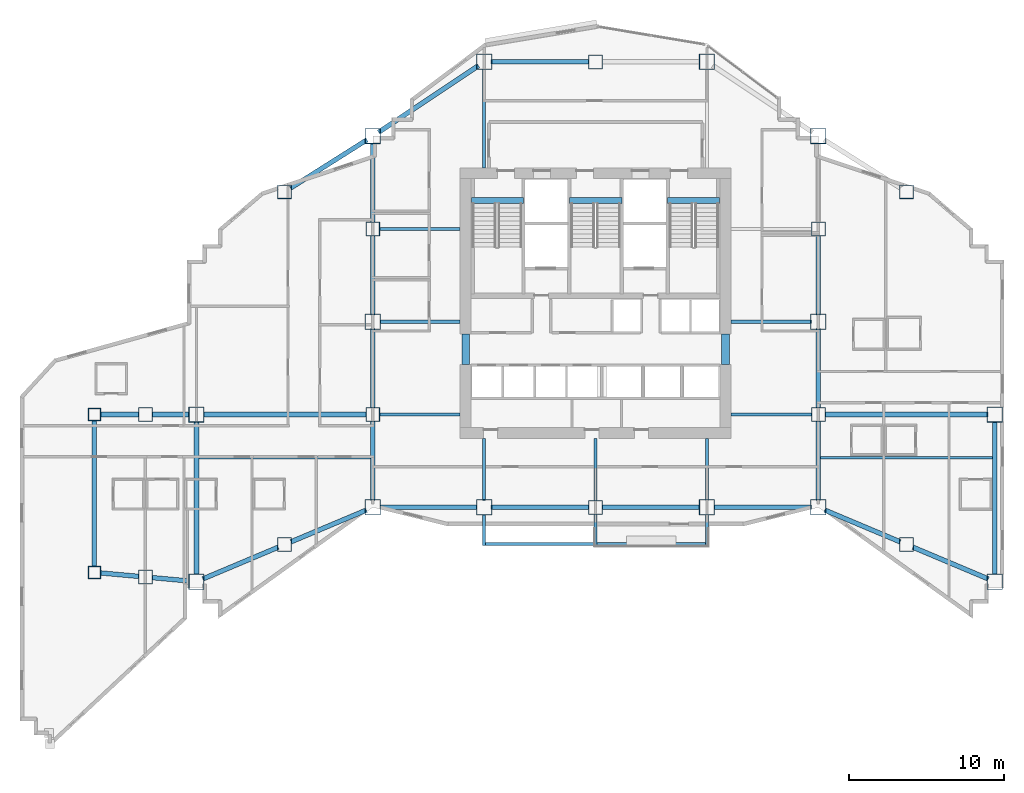
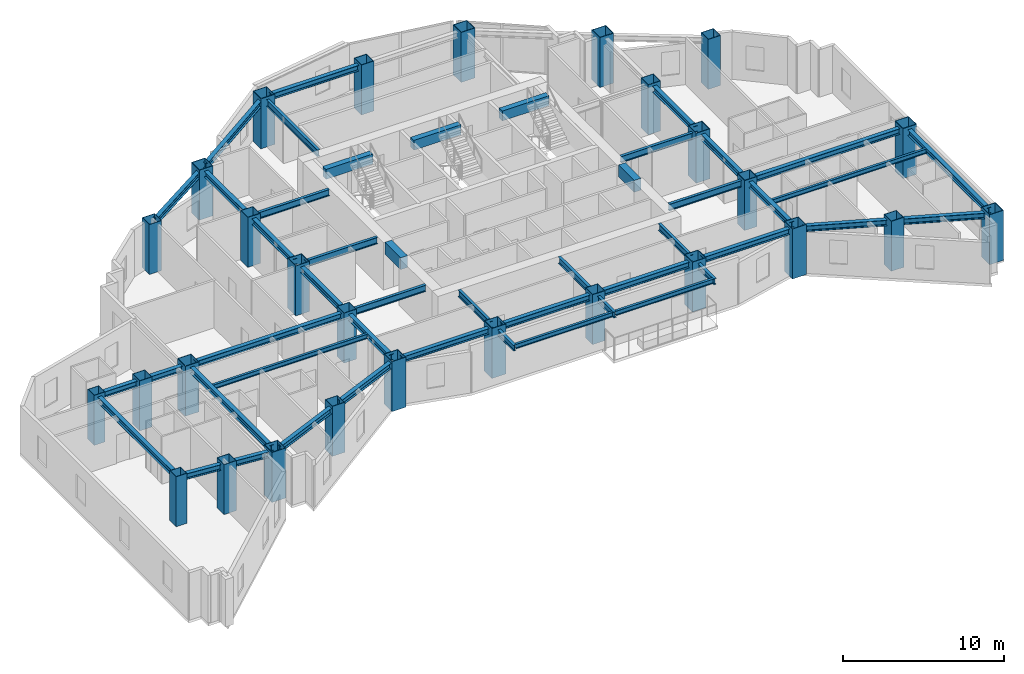
# One storey, part 1 of 14: 48 beams, 28 columns.
"""IFC4 building model written with IfcOpenShell, lengths in metres."""

from ifc_helpers import new_model, si_unit, direction, frame, origin, origin_2d, place, context, subcontext, project, spatial, rectangle, hollow_rectangle, i_section, extrude, material, material_profile, profile_set, type_object, element, save


model = new_model("IFC4")

# Units and contexts
model_context = context("Model", 3, precision=1e-05, world=origin(), true_north=direction((0.0, 1.0)))
body_context = subcontext(model_context, "Body", "Model", "MODEL_VIEW")
ifc_project = project(units=[si_unit("LENGTHUNIT", "METRE"), si_unit("AREAUNIT", "SQUARE_METRE"), si_unit("VOLUMEUNIT", "CUBIC_METRE"), si_unit("PLANEANGLEUNIT", "RADIAN"), si_unit("MASSUNIT", "GRAM", prefix="KILO")], contexts=[model_context])

# Site, building, storey
site_placement = place(None, origin())
site = spatial("IfcSite", under=ifc_project, at=site_placement, CompositionType="ELEMENT")
building_placement = place(site_placement, origin())
building = spatial("IfcBuilding", under=site, at=building_placement, Name="Haolan Belvedere Tower", CompositionType="ELEMENT")
storey_placement = place(building_placement, frame((0.0, 0.0, 141.0)))
storey = spatial("IfcBuildingStorey", under=building, at=storey_placement, Name="L35", CompositionType="ELEMENT", Elevation=141.0)

# Columns
ifc_material_1 = material(Name="Steel Q420GJC", Category="steel")
ifc_material_profile_1 = material_profile(ifc_material_1, hollow_rectangle(XDim=1.0, YDim=1.0, WallThickness=0.0380859375, at=origin_2d()), Name="Steel Q420GJC")
ifc_profile_set_1 = profile_set([ifc_material_profile_1], Name="Steel Q420GJC")
column_type_1 = type_object("IfcColumnType", Name="COL-BOX1000x1000x38", PredefinedType="COLUMN", material=ifc_profile_set_1)
for number, where, z_axis, x_axis, name in (
    (1, (24.0, 21.60009765625, 0.0), (0.0, 0.0, 1.0), (1.0, 0.0, 0.0), "L35 column MC-T3-SW (BOX1000x1000x38)"),
    (2, (24.0, 33.60009765625, 0.0), (0.0, 0.0, 1.0), (1.0, 0.0, 0.0), "L35 column MC-T3-MW (BOX1000x1000x38)"),
    (3, (24.0, 45.60009765625, 0.0), (0.0, 0.0, 1.0), (1.0, 0.0, 0.0), "L35 column MC-T3-NW (BOX1000x1000x38)"),
    (4, (52.800048828125, 21.60009765625, 0.0), (0.0, 0.0, 1.0), (1.0, 0.0, 0.0), "L35 column MC-T3-SE (BOX1000x1000x38)"),
    (5, (52.800048828125, 33.60009765625, 0.0), (0.0, 0.0, 1.0), (1.0, 0.0, 0.0), "L35 column MC-T3-ME (BOX1000x1000x38)"),
    (6, (52.800048828125, 45.60009765625, 0.0), (0.0, 0.0, 1.0), (1.0, 0.0, 0.0), "L35 column MC-T3-NE (BOX1000x1000x38)"),
    (7, (31.199951171875, 21.60009765625, 0.0), (0.0, 0.0, 1.0), (1.0, 0.0, 0.0), "L35 column MC-T3-S1 (BOX1000x1000x38)"),
    (8, (45.60009765625, 21.60009765625, 0.0), (0.0, 0.0, 1.0), (1.0, 0.0, 0.0), "L35 column MC-T3-S2 (BOX1000x1000x38)"),
    (9, (31.199951171875, 50.39990234375, 0.0), (0.0, 0.0, 1.0), (1.0, 0.0, 0.0), "L35 column MC-T3-N1 (BOX1000x1000x38)"),
    (10, (45.60009765625, 50.39990234375, 0.0), (0.0, 0.0, 1.0), (1.0, 0.0, 0.0), "L35 column MC-T3-N2 (BOX1000x1000x38)"),
    (11, (12.60009765625, 16.800048828125, 0.0), (0.0, 0.0, 1.0), (1.0, 0.0, 0.0), "L35 column MC-T2-SW (BOX1000x1000x38)"),
    (12, (12.60009765625, 27.60009765625, 0.0), (0.0, 0.0, 1.0), (1.0, 0.0, 0.0), "L35 column MC-T2-MW (BOX1000x1000x38)"),
    (13, (64.199951171875, 16.800048828125, 0.0), (0.0, 0.0, 1.0), (1.0, 0.0, 0.0), "L35 column MC-T4-SE (BOX1000x1000x38)"),
    (14, (64.199951171875, 27.60009765625, 0.0), (0.0, 0.0, 1.0), (1.0, 0.0, 0.0), "L35 column MC-T4-ME (BOX1000x1000x38)"),
):
    element("IfcColumn", number, at=place(storey_placement, frame(where, z_axis=z_axis, x_axis=x_axis)), inside=storey, type_object=column_type_1, Name=name, PredefinedType="COLUMN", context=body_context, shape_type="SweptSolid", body=[
        extrude(hollow_rectangle(XDim=1.0, YDim=1.0, WallThickness=0.0380859375, at=origin_2d()), origin(), (0.0, 0.0, 1.0), 3.800048828125),
    ])
ifc_material_2 = material(Name="Steel Q390GJC", Category="steel")
ifc_material_profile_2 = material_profile(ifc_material_2, hollow_rectangle(XDim=0.800048828125, YDim=0.800048828125, WallThickness=0.030029296875, at=origin_2d()), Name="Steel Q390GJC")
ifc_profile_set_2 = profile_set([ifc_material_profile_2], Name="Steel Q390GJC")
column_type_2 = type_object("IfcColumnType", Name="COL-BOX800x800x30", PredefinedType="COLUMN", material=ifc_profile_set_2)
for number, where, z_axis, x_axis, name in (
    (15, (6.0, 17.39990234375, 0.0), (0.0, 0.0, 1.0), (1.0, 0.0, 0.0), "L35 column MC-T1-SW (BOX800x800x30)"),
    (16, (6.0, 27.60009765625, 0.0), (0.0, 0.0, 1.0), (1.0, 0.0, 0.0), "L35 column MC-T1-NW (BOX800x800x30)"),
):
    element("IfcColumn", number, at=place(storey_placement, frame(where, z_axis=z_axis, x_axis=x_axis)), inside=storey, type_object=column_type_2, Name=name, PredefinedType="COLUMN", context=body_context, shape_type="SweptSolid", body=[
        extrude(hollow_rectangle(XDim=0.800048828125, YDim=0.800048828125, WallThickness=0.030029296875, at=origin_2d()), origin(), (0.0, 0.0, 1.0), 3.800048828125),
    ])
ifc_material_profile_3 = material_profile(ifc_material_2, hollow_rectangle(XDim=0.89990234375, YDim=0.89990234375, WallThickness=0.033935546875, at=origin_2d()), Name="Steel Q390GJC")
ifc_profile_set_3 = profile_set([ifc_material_profile_3], Name="Steel Q390GJC")
column_type_3 = type_object("IfcColumnType", Name="COL-BOX900x900x34", PredefinedType="COLUMN", material=ifc_profile_set_3)
for number, where, z_axis, x_axis, name in (
    (17, (24.0, 27.60009765625, 0.0), (0.0, 0.0, 1.0), (1.0, 0.0, 0.0), "L35 column TC-T3-W1 (BOX900x900x34)"),
    (18, (24.0, 39.60009765625, 0.0), (0.0, 0.0, 1.0), (1.0, 0.0, 0.0), "L35 column TC-T3-W2 (BOX900x900x34)"),
    (19, (52.800048828125, 27.60009765625, 0.0), (0.0, 0.0, 1.0), (1.0, 0.0, 0.0), "L35 column TC-T3-E1 (BOX900x900x34)"),
    (20, (52.800048828125, 39.60009765625, 0.0), (0.0, 0.0, 1.0), (1.0, 0.0, 0.0), "L35 column TC-T3-E2 (BOX900x900x34)"),
    (21, (38.39990234375, 21.60009765625, 0.0), (0.0, 0.0, 1.0), (1.0, 0.0, 0.0), "L35 column TC-T3-SM (BOX900x900x34)"),
    (22, (38.39990234375, 50.39990234375, 0.0), (0.0, 0.0, 1.0), (1.0, 0.0, 0.0), "L35 column TC-T3-NM (BOX900x900x34)"),
    (23, (18.300048828125, 19.199951171875, 0.0), (0.0, 0.0, 1.0), (1.0, 0.0, 0.0), "L35 column TC-T2-S1 (BOX900x900x34)"),
    (24, (18.300048828125, 42.0, 0.0), (0.0, 0.0, 1.0), (1.0, 0.0, 0.0), "L35 column TC-T2-N1 (BOX900x900x34)"),
    (25, (58.5, 19.199951171875, 0.0), (0.0, 0.0, 1.0), (1.0, 0.0, 0.0), "L35 column TC-T4-S1 (BOX900x900x34)"),
    (26, (58.5, 42.0, 0.0), (0.0, 0.0, 1.0), (1.0, 0.0, 0.0), "L35 column TC-T4-N1 (BOX900x900x34)"),
    (27, (9.300048828125, 17.10009765625, 0.0), (0.0, 0.0, 1.0), (1.0, 0.0, 0.0), "L35 column TC-T1-M1 (BOX900x900x34)"),
    (28, (9.300048828125, 27.60009765625, 0.0), (0.0, 0.0, 1.0), (1.0, 0.0, 0.0), "L35 column TC-T1-M2 (BOX900x900x34)"),
):
    element("IfcColumn", number, at=place(storey_placement, frame(where, z_axis=z_axis, x_axis=x_axis)), inside=storey, type_object=column_type_3, Name=name, PredefinedType="COLUMN", context=body_context, shape_type="SweptSolid", body=[
        extrude(hollow_rectangle(XDim=0.89990234375, YDim=0.89990234375, WallThickness=0.033935546875, at=origin_2d()), origin(), (0.0, 0.0, 1.0), 3.800048828125),
    ])

# Beams
ifc_material_3 = material(Name="Steel Q355B", Category="steel")
ifc_material_profile_4 = material_profile(ifc_material_3, i_section(OverallWidth=0.300048828125, OverallDepth=0.43994140625, WebThickness=0.010986328125, FlangeThickness=0.01806640625, FilletRadius=0.02392578125, at=origin_2d()), Name="Steel Q355B")
ifc_profile_set_4 = profile_set([ifc_material_profile_4], Name="Steel Q355B")
beam_type_1 = type_object("IfcBeamType", Name="BM-HM440x300x11x18", PredefinedType="SPANDREL", material=ifc_profile_set_4)
for number, where, z_axis, x_axis, name in (
    (29, (24.0, 22.050048828125, 3.3798828125), (0.0, 1.0, 0.0), (-1.0, 0.0, 0.0), "L35 spandrel girder MC-T3-SW-TC-T3-W1"),
    (30, (24.0, 28.050048828125, 3.3798828125), (0.0, 1.0, 0.0), (-1.0, 0.0, 0.0), "L35 spandrel girder TC-T3-W1-MC-T3-MW"),
    (31, (24.0, 34.050048828125, 3.3798828125), (0.0, 1.0, 0.0), (-1.0, 0.0, 0.0), "L35 spandrel girder MC-T3-MW-TC-T3-W2"),
    (32, (24.0, 40.050048828125, 3.3798828125), (0.0, 1.0, 0.0), (-1.0, 0.0, 0.0), "L35 spandrel girder TC-T3-W2-MC-T3-NW"),
    (33, (52.800048828125, 22.050048828125, 3.3798828125), (0.0, 1.0, 0.0), (-1.0, 0.0, 0.0), "L35 spandrel girder MC-T3-SE-TC-T3-E1"),
    (34, (52.800048828125, 28.050048828125, 3.3798828125), (0.0, 1.0, 0.0), (-1.0, 0.0, 0.0), "L35 spandrel girder TC-T3-E1-MC-T3-ME"),
    (35, (52.800048828125, 34.050048828125, 3.3798828125), (0.0, 1.0, 0.0), (-1.0, 0.0, 0.0), "L35 spandrel girder MC-T3-ME-TC-T3-E2"),
):
    element("IfcBeam", number, at=place(storey_placement, frame(where, z_axis=z_axis, x_axis=x_axis)), inside=storey, type_object=beam_type_1, Name=name, PredefinedType="SPANDREL", context=body_context, shape_type="SweptSolid", body=[
        extrude(i_section(OverallWidth=0.300048828125, OverallDepth=0.43994140625, WebThickness=0.010986328125, FlangeThickness=0.01806640625, FilletRadius=0.02392578125, at=origin_2d()), origin(), (0.0, 0.0, 1.0), 5.099853515625),
    ])
for number, where, z_axis, x_axis, name in (
    (36, (24.449951171875, 21.60009765625, 3.3798828125), (1.0, 0.0, 0.0), (0.0, 1.0, 0.0), "L35 spandrel girder MC-T3-SW-MC-T3-S1"),
    (37, (31.64990234375, 21.60009765625, 3.3798828125), (1.0, 0.0, 0.0), (0.0, 1.0, 0.0), "L35 spandrel girder MC-T3-S1-TC-T3-SM"),
):
    element("IfcBeam", number, at=place(storey_placement, frame(where, z_axis=z_axis, x_axis=x_axis)), inside=storey, type_object=beam_type_1, Name=name, PredefinedType="SPANDREL", context=body_context, shape_type="SweptSolid", body=[
        extrude(i_section(OverallWidth=0.300048828125, OverallDepth=0.43994140625, WebThickness=0.010986328125, FlangeThickness=0.01806640625, FilletRadius=0.02392578125, at=origin_2d()), origin(), (0.0, 0.0, 1.0), 6.300048828125),
    ])
beam_1_placement = place(storey_placement, frame((38.85009765625, 21.60009765625, 3.3798828125), z_axis=(1.0, 0.0, 0.0), x_axis=(0.0, 1.0, 0.0)))
element("IfcBeam", 38, at=beam_1_placement, inside=storey, type_object=beam_type_1, Name="L35 spandrel girder TC-T3-SM-MC-T3-S2", PredefinedType="SPANDREL", context=body_context, shape_type="SweptSolid", body=[
    extrude(i_section(OverallWidth=0.300048828125, OverallDepth=0.43994140625, WebThickness=0.010986328125, FlangeThickness=0.01806640625, FilletRadius=0.02392578125, at=origin_2d()), origin(), (0.0, 0.0, 1.0), 6.2998046875),
])
beam_2_placement = place(storey_placement, frame((46.050048828125, 21.60009765625, 3.3798828125), z_axis=(1.0, 0.0, 0.0), x_axis=(0.0, 1.0, 0.0)))
element("IfcBeam", 39, at=beam_2_placement, inside=storey, type_object=beam_type_1, Name="L35 spandrel girder MC-T3-S2-MC-T3-SE", PredefinedType="SPANDREL", context=body_context, shape_type="SweptSolid", body=[
    extrude(i_section(OverallWidth=0.300048828125, OverallDepth=0.43994140625, WebThickness=0.010986328125, FlangeThickness=0.01806640625, FilletRadius=0.02392578125, at=origin_2d()), origin(), (0.0, 0.0, 1.0), 6.300048828125),
])
beam_3_placement = place(storey_placement, frame((24.37451171875, 45.849609375, 3.3798828125), z_axis=(0.832050294338, 0.554700196225, 0.0), x_axis=(-0.554700196225, 0.832050294338, 0.0)))
element("IfcBeam", 40, at=beam_3_placement, inside=storey, type_object=beam_type_1, Name="L35 spandrel girder MC-T3-NW-MC-T3-N1", PredefinedType="SPANDREL", context=body_context, shape_type="SweptSolid", body=[
    extrude(i_section(OverallWidth=0.300048828125, OverallDepth=0.43994140625, WebThickness=0.010986328125, FlangeThickness=0.01806640625, FilletRadius=0.02392578125, at=origin_2d()), origin(), (0.0, 0.0, 1.0), 7.75341796875),
])
beam_4_placement = place(storey_placement, frame((31.64990234375, 50.39990234375, 3.3798828125), z_axis=(1.0, 0.0, 0.0), x_axis=(0.0, 1.0, 0.0)))
element("IfcBeam", 41, at=beam_4_placement, inside=storey, type_object=beam_type_1, Name="L35 spandrel girder MC-T3-N1-TC-T3-NM", PredefinedType="SPANDREL", context=body_context, shape_type="SweptSolid", body=[
    extrude(i_section(OverallWidth=0.300048828125, OverallDepth=0.43994140625, WebThickness=0.010986328125, FlangeThickness=0.01806640625, FilletRadius=0.02392578125, at=origin_2d()), origin(), (0.0, 0.0, 1.0), 6.300048828125),
])
beam_5_placement = place(storey_placement, frame((12.60009765625, 17.25, 3.3798828125), z_axis=(0.0, 1.0, 0.0), x_axis=(-1.0, 0.0, 0.0)))
element("IfcBeam", 42, at=beam_5_placement, inside=storey, type_object=beam_type_1, Name="L35 spandrel girder MC-T2-SW-MC-T2-MW", PredefinedType="SPANDREL", context=body_context, shape_type="SweptSolid", body=[
    extrude(i_section(OverallWidth=0.300048828125, OverallDepth=0.43994140625, WebThickness=0.010986328125, FlangeThickness=0.01806640625, FilletRadius=0.02392578125, at=origin_2d()), origin(), (0.0, 0.0, 1.0), 9.89990234375),
])
beam_6_placement = place(storey_placement, frame((13.0146484375, 16.974609375, 3.3798828125), z_axis=(0.921635375138, 0.388057000058, 0.0), x_axis=(-0.388057000058, 0.921635375138, 0.0)))
element("IfcBeam", 43, at=beam_6_placement, inside=storey, type_object=beam_type_1, Name="L35 spandrel girder MC-T2-SW-TC-T2-S1", PredefinedType="SPANDREL", context=body_context, shape_type="SweptSolid", body=[
    extrude(i_section(OverallWidth=0.300048828125, OverallDepth=0.43994140625, WebThickness=0.010986328125, FlangeThickness=0.01806640625, FilletRadius=0.02392578125, at=origin_2d()), origin(), (0.0, 0.0, 1.0), 5.28466796875),
])
beam_7_placement = place(storey_placement, frame((18.71484375, 19.37451171875, 3.3798828125), z_axis=(0.92162841793, 0.388073523014, 0.0), x_axis=(-0.388073523014, 0.92162841793, 0.0)))
element("IfcBeam", 44, at=beam_7_placement, inside=storey, type_object=beam_type_1, Name="L35 spandrel girder TC-T2-S1-MC-T3-SW", PredefinedType="SPANDREL", context=body_context, shape_type="SweptSolid", body=[
    extrude(i_section(OverallWidth=0.300048828125, OverallDepth=0.43994140625, WebThickness=0.010986328125, FlangeThickness=0.01806640625, FilletRadius=0.02392578125, at=origin_2d()), origin(), (0.0, 0.0, 1.0), 5.284423828125),
])
beam_8_placement = place(storey_placement, frame((18.680419921875, 42.240234375, 3.3798828125), z_axis=(0.845497840649, 0.533978839898, 0.0), x_axis=(-0.533978839898, 0.845497840649, 0.0)))
element("IfcBeam", 45, at=beam_8_placement, inside=storey, type_object=beam_type_1, Name="L35 spandrel girder TC-T2-N1-MC-T3-NW", PredefinedType="SPANDREL", context=body_context, shape_type="SweptSolid", body=[
    extrude(i_section(OverallWidth=0.300048828125, OverallDepth=0.43994140625, WebThickness=0.010986328125, FlangeThickness=0.01806640625, FilletRadius=0.02392578125, at=origin_2d()), origin(), (0.0, 0.0, 1.0), 5.841796875),
])
beam_9_placement = place(storey_placement, frame((13.050048828125, 27.60009765625, 3.3798828125), z_axis=(1.0, 0.0, 0.0), x_axis=(0.0, 1.0, 0.0)))
element("IfcBeam", 46, at=beam_9_placement, inside=storey, type_object=beam_type_1, Name="L35 spandrel girder MC-T2-MW-TC-T3-W1", PredefinedType="SPANDREL", context=body_context, shape_type="SweptSolid", body=[
    extrude(i_section(OverallWidth=0.300048828125, OverallDepth=0.43994140625, WebThickness=0.010986328125, FlangeThickness=0.01806640625, FilletRadius=0.02392578125, at=origin_2d()), origin(), (0.0, 0.0, 1.0), 10.5),
])
beam_10_placement = place(storey_placement, frame((64.199951171875, 17.25, 3.3798828125), z_axis=(0.0, 1.0, 0.0), x_axis=(-1.0, 0.0, 0.0)))
element("IfcBeam", 47, at=beam_10_placement, inside=storey, type_object=beam_type_1, Name="L35 spandrel girder MC-T4-SE-MC-T4-ME", PredefinedType="SPANDREL", context=body_context, shape_type="SweptSolid", body=[
    extrude(i_section(OverallWidth=0.300048828125, OverallDepth=0.43994140625, WebThickness=0.010986328125, FlangeThickness=0.01806640625, FilletRadius=0.02392578125, at=origin_2d()), origin(), (0.0, 0.0, 1.0), 9.89990234375),
])
for number, where, z_axis, x_axis, name in (
    (48, (53.21484375, 21.42529296875, 3.3798828125), (0.92162841793, -0.388073523014, 0.0), (0.388073523014, 0.92162841793, 0.0), "L35 spandrel girder MC-T3-SE-TC-T4-S1"),
    (49, (58.914794921875, 19.025390625, 3.3798828125), (0.92162841793, -0.388073523014, 0.0), (0.388073523014, 0.92162841793, 0.0), "L35 spandrel girder TC-T4-S1-MC-T4-SE"),
):
    element("IfcBeam", number, at=place(storey_placement, frame(where, z_axis=z_axis, x_axis=x_axis)), inside=storey, type_object=beam_type_1, Name=name, PredefinedType="SPANDREL", context=body_context, shape_type="SweptSolid", body=[
        extrude(i_section(OverallWidth=0.300048828125, OverallDepth=0.43994140625, WebThickness=0.010986328125, FlangeThickness=0.01806640625, FilletRadius=0.02392578125, at=origin_2d()), origin(), (0.0, 0.0, 1.0), 5.284423828125),
    ])
beam_11_placement = place(storey_placement, frame((53.25, 27.60009765625, 3.3798828125), z_axis=(1.0, 0.0, 0.0), x_axis=(0.0, 1.0, 0.0)))
element("IfcBeam", 50, at=beam_11_placement, inside=storey, type_object=beam_type_1, Name="L35 spandrel girder TC-T3-E1-MC-T4-ME", PredefinedType="SPANDREL", context=body_context, shape_type="SweptSolid", body=[
    extrude(i_section(OverallWidth=0.300048828125, OverallDepth=0.43994140625, WebThickness=0.010986328125, FlangeThickness=0.01806640625, FilletRadius=0.02392578125, at=origin_2d()), origin(), (0.0, 0.0, 1.0), 10.5),
])
beam_12_placement = place(storey_placement, frame((6.0, 17.800048828125, 3.3798828125), z_axis=(0.0, 1.0, 0.0), x_axis=(-1.0, 0.0, 0.0)))
element("IfcBeam", 51, at=beam_12_placement, inside=storey, type_object=beam_type_1, Name="L35 spandrel girder MC-T1-SW-MC-T1-NW", PredefinedType="SPANDREL", context=body_context, shape_type="SweptSolid", body=[
    extrude(i_section(OverallWidth=0.300048828125, OverallDepth=0.43994140625, WebThickness=0.010986328125, FlangeThickness=0.01806640625, FilletRadius=0.02392578125, at=origin_2d()), origin(), (0.0, 0.0, 1.0), 9.39990234375),
])
beam_13_placement = place(storey_placement, frame((6.3984375, 17.36376953125, 3.3798828125), z_axis=(0.995889143855, -0.090580423672, 0.0), x_axis=(0.090580423672, 0.995889143855, 0.0)))
element("IfcBeam", 52, at=beam_13_placement, inside=storey, type_object=beam_type_1, Name="L35 spandrel girder MC-T1-SW-TC-T1-M1", PredefinedType="SPANDREL", context=body_context, shape_type="SweptSolid", body=[
    extrude(i_section(OverallWidth=0.300048828125, OverallDepth=0.43994140625, WebThickness=0.010986328125, FlangeThickness=0.01806640625, FilletRadius=0.02392578125, at=origin_2d()), origin(), (0.0, 0.0, 1.0), 2.46337890625),
])
beam_14_placement = place(storey_placement, frame((9.748046875, 17.059326171875, 3.3798828125), z_axis=(0.9958940355, -0.090526626221, 0.0), x_axis=(0.090526626221, 0.9958940355, 0.0)))
element("IfcBeam", 53, at=beam_14_placement, inside=storey, type_object=beam_type_1, Name="L35 spandrel girder TC-T1-M1-MC-T2-SW", PredefinedType="SPANDREL", context=body_context, shape_type="SweptSolid", body=[
    extrude(i_section(OverallWidth=0.300048828125, OverallDepth=0.43994140625, WebThickness=0.010986328125, FlangeThickness=0.01806640625, FilletRadius=0.02392578125, at=origin_2d()), origin(), (0.0, 0.0, 1.0), 2.413818359375),
])
beam_15_placement = place(storey_placement, frame((6.39990234375, 27.60009765625, 3.3798828125), z_axis=(1.0, 0.0, 0.0), x_axis=(0.0, 1.0, 0.0)))
element("IfcBeam", 54, at=beam_15_placement, inside=storey, type_object=beam_type_1, Name="L35 spandrel girder MC-T1-NW-TC-T1-M2", PredefinedType="SPANDREL", context=body_context, shape_type="SweptSolid", body=[
    extrude(i_section(OverallWidth=0.300048828125, OverallDepth=0.43994140625, WebThickness=0.010986328125, FlangeThickness=0.01806640625, FilletRadius=0.02392578125, at=origin_2d()), origin(), (0.0, 0.0, 1.0), 2.4501953125),
])
beam_16_placement = place(storey_placement, frame((9.75, 27.60009765625, 3.3798828125), z_axis=(1.0, 0.0, 0.0), x_axis=(0.0, 1.0, 0.0)))
element("IfcBeam", 55, at=beam_16_placement, inside=storey, type_object=beam_type_1, Name="L35 spandrel girder TC-T1-M2-MC-T2-MW", PredefinedType="SPANDREL", context=body_context, shape_type="SweptSolid", body=[
    extrude(i_section(OverallWidth=0.300048828125, OverallDepth=0.43994140625, WebThickness=0.010986328125, FlangeThickness=0.01806640625, FilletRadius=0.02392578125, at=origin_2d()), origin(), (0.0, 0.0, 1.0), 2.39990234375),
])
ifc_material_profile_5 = material_profile(ifc_material_3, i_section(OverallWidth=0.175048828125, OverallDepth=0.35009765625, WebThickness=0.007080078125, FlangeThickness=0.010986328125, FilletRadius=0.012939453125, at=origin_2d()), Name="Steel Q355B")
ifc_profile_set_5 = profile_set([ifc_material_profile_5], Name="Steel Q355B")
beam_type_2 = type_object("IfcBeamType", Name="BM-HN350x175x7x11", PredefinedType="JOIST", material=ifc_profile_set_5)
for number, where, z_axis, x_axis, name in (
    (56, (12.75, 24.800048828125, 3.425048828125), (1.0, 0.0, 0.0), (0.0, 1.0, 0.0), "L35 west wing floor joist 1"),
    (57, (52.949951171875, 24.800048828125, 3.425048828125), (1.0, 0.0, 0.0), (0.0, 1.0, 0.0), "L35 east wing floor joist 1"),
):
    element("IfcBeam", number, at=place(storey_placement, frame(where, z_axis=z_axis, x_axis=x_axis)), inside=storey, type_object=beam_type_2, Name=name, PredefinedType="JOIST", context=body_context, shape_type="SweptSolid", body=[
        extrude(i_section(OverallWidth=0.175048828125, OverallDepth=0.35009765625, WebThickness=0.007080078125, FlangeThickness=0.010986328125, FilletRadius=0.012939453125, at=origin_2d()), origin(), (0.0, 0.0, 1.0), 11.10009765625),
    ])
for number, where, z_axis, x_axis, name in (
    (58, (31.300048828125, 19.239990234375, 3.39501953125), (1.0, 0.0, 0.0), (0.0, 1.0, 0.0), "L36 tree-balcony front trimmer beam 1"),
    (59, (38.5, 19.239990234375, 3.39501953125), (1.0, 0.0, 0.0), (0.0, 1.0, 0.0), "L36 tree-balcony front trimmer beam 2"),
):
    element("IfcBeam", number, at=place(storey_placement, frame(where, z_axis=z_axis, x_axis=x_axis)), inside=storey, type_object=beam_type_2, Name=name, PredefinedType="BEAM", context=body_context, shape_type="SweptSolid", body=[
        extrude(i_section(OverallWidth=0.175048828125, OverallDepth=0.35009765625, WebThickness=0.007080078125, FlangeThickness=0.010986328125, FilletRadius=0.012939453125, at=origin_2d()), origin(), (0.0, 0.0, 1.0), 7.0),
    ])
ifc_material_profile_6 = material_profile(ifc_material_3, i_section(OverallWidth=0.199951171875, OverallDepth=0.449951171875, WebThickness=0.009033203125, FlangeThickness=0.013916015625, FilletRadius=0.01611328125, at=origin_2d()), Name="Steel Q355B")
ifc_profile_set_6 = profile_set([ifc_material_profile_6], Name="Steel Q355B")
beam_type_3 = type_object("IfcBeamType", Name="BM-HN450x200x9x14", PredefinedType="BEAM", material=ifc_profile_set_6)
beam_17_placement = place(storey_placement, frame((31.199951171875, 21.10009765625, 3.344970703125), z_axis=(0.0, -1.0, 0.0), x_axis=(1.0, 0.0, 0.0)))
element("IfcBeam", 60, at=beam_17_placement, inside=storey, type_object=beam_type_3, Name="L36 tree-balcony column cantilever MC-T3-S1", PredefinedType="BEAM", context=body_context, shape_type="SweptSolid", body=[
    extrude(i_section(OverallWidth=0.199951171875, OverallDepth=0.449951171875, WebThickness=0.009033203125, FlangeThickness=0.013916015625, FilletRadius=0.01611328125, at=origin_2d()), origin(), (0.0, 0.0, 1.0), 1.960205078125),
])
beam_18_placement = place(storey_placement, frame((38.39990234375, 21.14990234375, 3.344970703125), z_axis=(0.0, -1.0, 0.0), x_axis=(1.0, 0.0, 0.0)))
element("IfcBeam", 61, at=beam_18_placement, inside=storey, type_object=beam_type_3, Name="L36 tree-balcony column cantilever TC-T3-SM", PredefinedType="BEAM", context=body_context, shape_type="SweptSolid", body=[
    extrude(i_section(OverallWidth=0.199951171875, OverallDepth=0.449951171875, WebThickness=0.009033203125, FlangeThickness=0.013916015625, FilletRadius=0.01611328125, at=origin_2d()), origin(), (0.0, 0.0, 1.0), 2.010009765625),
])
beam_19_placement = place(storey_placement, frame((45.60009765625, 21.10009765625, 3.344970703125), z_axis=(0.0, -1.0, 0.0), x_axis=(1.0, 0.0, 0.0)))
element("IfcBeam", 62, at=beam_19_placement, inside=storey, type_object=beam_type_3, Name="L36 tree-balcony column cantilever MC-T3-S2", PredefinedType="BEAM", context=body_context, shape_type="SweptSolid", body=[
    extrude(i_section(OverallWidth=0.199951171875, OverallDepth=0.449951171875, WebThickness=0.009033203125, FlangeThickness=0.013916015625, FilletRadius=0.01611328125, at=origin_2d()), origin(), (0.0, 0.0, 1.0), 1.960205078125),
])
ifc_material_profile_7 = material_profile(ifc_material_3, i_section(OverallWidth=0.199951171875, OverallDepth=0.5, WebThickness=0.010009765625, FlangeThickness=0.01611328125, FilletRadius=0.02001953125, at=origin_2d()), Name="Steel Q355B")
ifc_profile_set_7 = profile_set([ifc_material_profile_7], Name="Steel Q355B")
beam_type_4 = type_object("IfcBeamType", Name="BM-HN500x200x10x16", PredefinedType="BEAM", material=ifc_profile_set_7)
for number, where, z_axis, x_axis, name in (
    (63, (24.449951171875, 33.60009765625, 3.35009765625), (1.0, 0.0, 0.0), (0.0, 1.0, 0.0), "L35 core tie beam from MC-T3-MW"),
    (64, (24.449951171875, 27.60009765625, 3.35009765625), (1.0, 0.0, 0.0), (0.0, 1.0, 0.0), "L35 core tie beam from TC-T3-W1"),
    (65, (24.449951171875, 39.60009765625, 3.35009765625), (1.0, 0.0, 0.0), (0.0, 1.0, 0.0), "L35 core tie beam from TC-T3-W2"),
):
    element("IfcBeam", number, at=place(storey_placement, frame(where, z_axis=z_axis, x_axis=x_axis)), inside=storey, type_object=beam_type_4, Name=name, PredefinedType="BEAM", context=body_context, shape_type="SweptSolid", body=[
        extrude(i_section(OverallWidth=0.199951171875, OverallDepth=0.5, WebThickness=0.010009765625, FlangeThickness=0.01611328125, FilletRadius=0.02001953125, at=origin_2d()), origin(), (0.0, 0.0, 1.0), 5.199951171875),
    ])
for number, where, z_axis, x_axis, name in (
    (66, (52.35009765625, 33.60009765625, 3.35009765625), (-1.0, 0.0, 0.0), (0.0, -1.0, 0.0), "L35 core tie beam from MC-T3-ME"),
    (67, (52.35009765625, 27.60009765625, 3.35009765625), (-1.0, 0.0, 0.0), (0.0, -1.0, 0.0), "L35 core tie beam from TC-T3-E1"),
):
    element("IfcBeam", number, at=place(storey_placement, frame(where, z_axis=z_axis, x_axis=x_axis)), inside=storey, type_object=beam_type_4, Name=name, PredefinedType="BEAM", context=body_context, shape_type="SweptSolid", body=[
        extrude(i_section(OverallWidth=0.199951171875, OverallDepth=0.5, WebThickness=0.010009765625, FlangeThickness=0.01611328125, FilletRadius=0.02001953125, at=origin_2d()), origin(), (0.0, 0.0, 1.0), 5.2001953125),
    ])
for number, where, z_axis, x_axis, name in (
    (68, (31.199951171875, 22.050048828125, 3.35009765625), (0.0, 1.0, 0.0), (-1.0, 0.0, 0.0), "L35 core tie beam from MC-T3-S1"),
    (69, (38.39990234375, 22.050048828125, 3.35009765625), (0.0, 1.0, 0.0), (-1.0, 0.0, 0.0), "L35 core tie beam from TC-T3-SM"),
    (70, (45.60009765625, 22.050048828125, 3.35009765625), (0.0, 1.0, 0.0), (-1.0, 0.0, 0.0), "L35 core tie beam from MC-T3-S2"),
):
    element("IfcBeam", number, at=place(storey_placement, frame(where, z_axis=z_axis, x_axis=x_axis)), inside=storey, type_object=beam_type_4, Name=name, PredefinedType="BEAM", context=body_context, shape_type="SweptSolid", body=[
        extrude(i_section(OverallWidth=0.199951171875, OverallDepth=0.5, WebThickness=0.010009765625, FlangeThickness=0.01611328125, FilletRadius=0.02001953125, at=origin_2d()), origin(), (0.0, 0.0, 1.0), 4.0),
    ])
beam_20_placement = place(storey_placement, frame((31.199951171875, 49.949951171875, 3.35009765625), z_axis=(0.0, -1.0, 0.0), x_axis=(1.0, 0.0, 0.0)))
element("IfcBeam", 71, at=beam_20_placement, inside=storey, type_object=beam_type_4, Name="L35 core tie beam from MC-T3-N1", PredefinedType="BEAM", context=body_context, shape_type="SweptSolid", body=[
    extrude(i_section(OverallWidth=0.199951171875, OverallDepth=0.5, WebThickness=0.010009765625, FlangeThickness=0.01611328125, FilletRadius=0.02001953125, at=origin_2d()), origin(), (0.0, 0.0, 1.0), 6.39990234375),
])
ifc_material_4 = material(Name="Concrete C50/60", Category="concrete")
ifc_material_profile_8 = material_profile(ifc_material_4, rectangle(XDim=0.39990234375, YDim=0.75, at=origin_2d()), Name="Concrete C50/60")
ifc_profile_set_8 = profile_set([ifc_material_profile_8], Name="Concrete C50/60")
beam_type_5 = type_object("IfcBeamType", Name="BM-RC400x750", PredefinedType="T_BEAM", material=ifc_profile_set_8)
beam_21_placement = place(storey_placement, frame((30.3798828125, 41.429931640625, 3.425048828125), z_axis=(1.0, 0.0, 0.0), x_axis=(0.0, 1.0, 0.0)))
element("IfcBeam", 72, at=beam_21_placement, inside=storey, type_object=beam_type_5, Name="L36 stair ST1 RC header trimmer beam", PredefinedType="BEAM", context=body_context, shape_type="SweptSolid", body=[
    extrude(rectangle(XDim=0.39990234375, YDim=0.75, at=origin_2d()), origin(), (0.0, 0.0, 1.0), 3.360107421875),
])
beam_22_placement = place(storey_placement, frame((36.699951171875, 41.429931640625, 3.425048828125), z_axis=(1.0, 0.0, 0.0), x_axis=(0.0, 1.0, 0.0)))
element("IfcBeam", 73, at=beam_22_placement, inside=storey, type_object=beam_type_5, Name="L36 stair ST3 RC header trimmer beam", PredefinedType="BEAM", context=body_context, shape_type="SweptSolid", body=[
    extrude(rectangle(XDim=0.39990234375, YDim=0.75, at=origin_2d()), origin(), (0.0, 0.0, 1.0), 3.400146484375),
])
beam_23_placement = place(storey_placement, frame((43.06005859375, 41.429931640625, 3.425048828125), z_axis=(1.0, 0.0, 0.0), x_axis=(0.0, 1.0, 0.0)))
element("IfcBeam", 74, at=beam_23_placement, inside=storey, type_object=beam_type_5, Name="L36 stair ST2 RC header trimmer beam", PredefinedType="BEAM", context=body_context, shape_type="SweptSolid", body=[
    extrude(rectangle(XDim=0.39990234375, YDim=0.75, at=origin_2d()), origin(), (0.0, 0.0, 1.0), 3.35986328125),
])
ifc_material_5 = material(Name="Concrete C60/75", Category="concrete")
ifc_material_profile_9 = material_profile(ifc_material_5, rectangle(XDim=0.5, YDim=0.89990234375, at=origin_2d()), Name="Concrete C60/75")
ifc_profile_set_9 = profile_set([ifc_material_profile_9], Name="Concrete C60/75")
beam_type_6 = type_object("IfcBeamType", Name="BM-RC500x900", PredefinedType="LINTEL", material=ifc_profile_set_9)
for number, where, z_axis, x_axis, name in (
    (75, (30.0, 30.85009765625, 3.14990234375), (0.0, 1.0, 0.0), (-1.0, 0.0, 0.0), "L35 west core coupling beam CB-01"),
    (76, (46.800048828125, 30.85009765625, 3.14990234375), (0.0, 1.0, 0.0), (-1.0, 0.0, 0.0), "L35 east core coupling beam CB-01"),
):
    element("IfcBeam", number, at=place(storey_placement, frame(where, z_axis=z_axis, x_axis=x_axis)), inside=storey, type_object=beam_type_6, Name=name, PredefinedType="LINTEL", context=body_context, shape_type="SweptSolid", body=[
        extrude(rectangle(XDim=0.5, YDim=0.89990234375, at=origin_2d()), origin(), (0.0, 0.0, 1.0), 1.949951171875),
    ])

save(model, "model.ifc")
